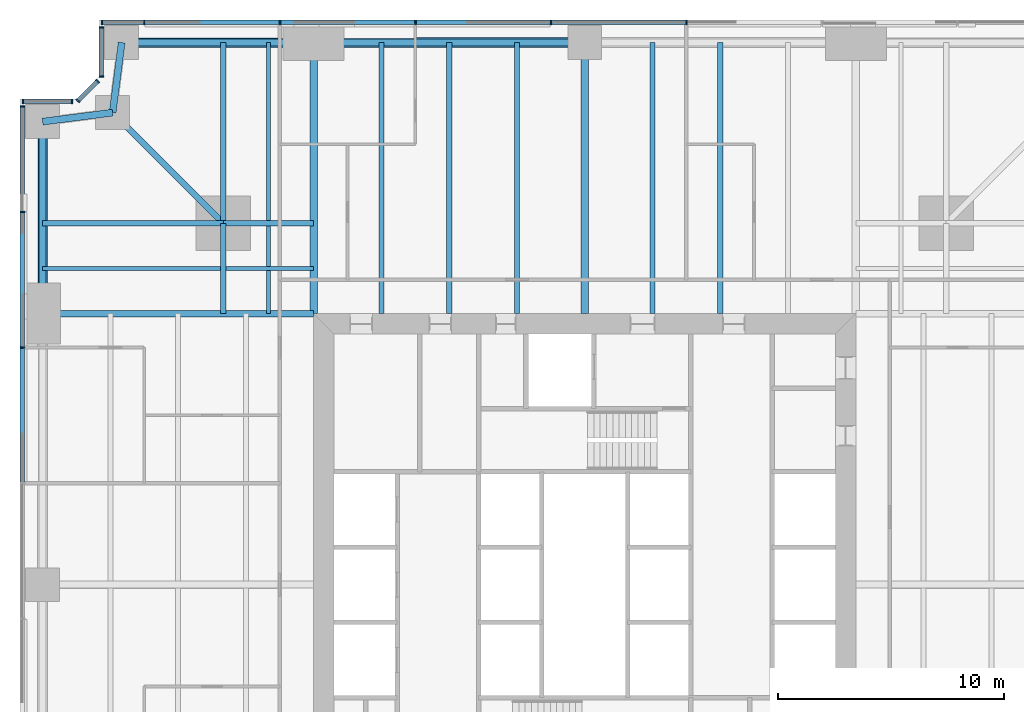
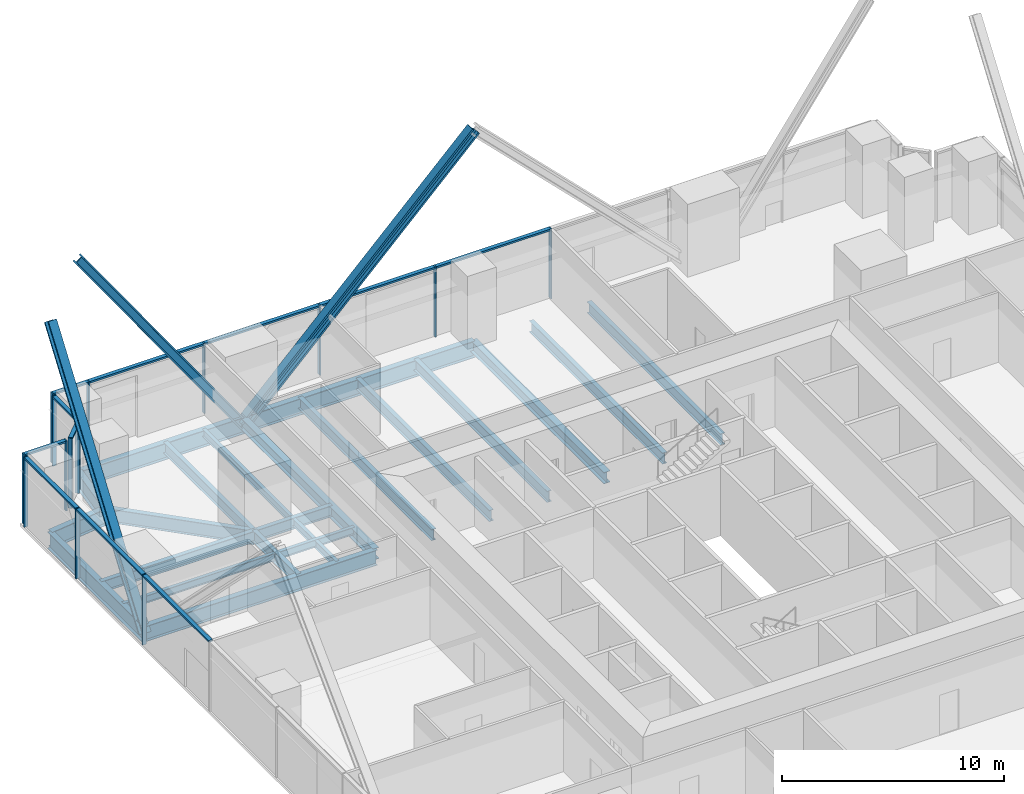
# One storey, part 6 of 13: 29 members, 23 beams, 5 elements without a shape of their own.
"""IFC4 building model written with IfcOpenShell, lengths in metres."""

import ifcopenshell
import ifcopenshell.guid

model = None  # the IFC model being written
_history = None  # IfcOwnerHistory: only IFC2X3 demands one
_inside = {}  # id of a spatial element -> (the spatial element, [elements in it])
_under = {}  # id of a project, library or spatial element -> (it, [spatial elements below it])
_declared = {}  # id of a project -> (the project, [libraries it declares])
_typed = {}  # id of a type object -> (the type object, [elements of that type])
_made_of = {}  # id of a material, layer set ... -> (it, [elements and type objects made of it])


def new_model(schema):
    """Start an empty IFC model of exactly this schema.

    Asked for "IFC4X3", IfcOpenShell would pick the latest addendum, in which some entities
    have other attributes; the version numbers below select the first issue.
    IFC2X3 requires an IfcOwnerHistory on every rooted entity: one is made here for all.
    """
    global model, _history
    if schema == "IFC4X3":
        model = ifcopenshell.file(schema_version=(4, 3, 0, 0))
    else:
        model = ifcopenshell.file(schema=schema)
    _inside.clear()
    _under.clear()
    _declared.clear()
    _typed.clear()
    _made_of.clear()
    _history = None
    if model.schema == "IFC2X3":
        org = make("IfcOrganization", Name="unknown")
        user = make(
            "IfcPersonAndOrganization",
            ThePerson=make("IfcPerson", FamilyName="unknown"),
            TheOrganization=org,
        )
        app = make(
            "IfcApplication",
            ApplicationDeveloper=org,
            Version="unknown",
            ApplicationFullName="unknown",
            ApplicationIdentifier="unknown",
        )
        _history = make(
            "IfcOwnerHistory",
            OwningUser=user,
            OwningApplication=app,
            ChangeAction="ADDED",
            CreationDate=0,
        )
    return model


def make(cls, **values):
    """One entity of the class cls with the attributes given. An attribute that is None is left unset."""
    return model.create_entity(
        cls, **{name: value for name, value in values.items() if value is not None}
    )


def rooted(cls, **values):
    """An entity with a GlobalId (a new one), such as an element, a storey or a relation."""
    return make(cls, GlobalId=ifcopenshell.guid.new(), OwnerHistory=_history, **values)


def si_unit(unit_type, name, prefix=None):
    """IfcSIUnit, for example si_unit("LENGTHUNIT", "METRE", prefix="MILLI")."""
    return make("IfcSIUnit", UnitType=unit_type, Prefix=prefix, Name=name)


def assignment(units):
    """IfcUnitAssignment: the units of a project."""
    return None if units is None else make("IfcUnitAssignment", Units=units)


def point(xyz):
    """IfcCartesianPoint."""
    return None if xyz is None else make("IfcCartesianPoint", Coordinates=xyz)


def direction(xyz):
    """IfcDirection."""
    return None if xyz is None else make("IfcDirection", DirectionRatios=xyz)


def frame(location, z_axis=None, x_axis=None):
    """IfcAxis2Placement3D, a coordinate frame: its origin and axes. An axis left out is left unset."""
    return make(
        "IfcAxis2Placement3D",
        Location=point(location),
        Axis=direction(z_axis),
        RefDirection=direction(x_axis),
    )


def frame_2d(location, x_axis=None):
    """IfcAxis2Placement2D, a coordinate frame in the plane: its origin and x axis."""
    return make(
        "IfcAxis2Placement2D", Location=point(location), RefDirection=direction(x_axis)
    )


def origin():
    """The frame at (0, 0, 0) with its axes left unset."""
    return frame((0.0, 0.0, 0.0))


def origin_2d():
    """The frame at (0, 0) in the plane with its x axis left unset."""
    return frame_2d((0.0, 0.0))


def place(relative_to, where):
    """IfcLocalPlacement: puts the frame where relative to a parent placement (None: the world)."""
    return make(
        "IfcLocalPlacement", PlacementRelTo=relative_to, RelativePlacement=where
    )


def context(
    kind, dimensions, precision=None, world=None, true_north=None, identifier=None
):
    """IfcGeometricRepresentationContext, for example the 3D "Model" context."""
    return make(
        "IfcGeometricRepresentationContext",
        ContextIdentifier=identifier,
        ContextType=kind,
        CoordinateSpaceDimension=dimensions,
        Precision=precision,
        WorldCoordinateSystem=world,
        TrueNorth=true_north,
    )


def subcontext(parent, identifier, kind, view, scale=None):
    """IfcGeometricRepresentationSubContext, for example "Body" below "Model"."""
    return make(
        "IfcGeometricRepresentationSubContext",
        ContextIdentifier=identifier,
        ContextType=kind,
        ParentContext=parent,
        TargetScale=scale,
        TargetView=view,
    )


def project(units=None, contexts=None):
    """IfcProject with its units and contexts."""
    return rooted(
        "IfcProject",
        Name="project",
        RepresentationContexts=contexts,
        UnitsInContext=assignment(units),
    )


def spatial(cls, under=None, at=None, **own):
    """A site, building, storey or space (cls), placed at a placement, below another one or the project."""
    s = rooted(cls, ObjectPlacement=at, **own)
    if under is not None:
        _under.setdefault(under.id(), (under, []))[1].append(s)
    return s


def profile(cls, at=None, kind="AREA", **sizes):
    """A parametric profile (cls). Its sizes go by their IFC names, for example OverallWidth=200.0."""
    return make(cls, ProfileType=kind, Position=at, **sizes)


def rectangle(**sizes):
    """IfcRectangleProfileDef."""
    return profile("IfcRectangleProfileDef", **sizes)


def i_section(**sizes):
    """IfcIShapeProfileDef."""
    return profile("IfcIShapeProfileDef", **sizes)


def extrude(swept, where, along, depth):
    """IfcExtrudedAreaSolid: the profile swept, set in the frame where, extruded along a direction by depth."""
    return make(
        "IfcExtrudedAreaSolid",
        SweptArea=swept,
        Position=where,
        ExtrudedDirection=direction(along),
        Depth=depth,
    )


def shape(context_of_items, identifier, shape_type, items):
    """IfcShapeRepresentation: the items that make up one representation, for example the "Body"."""
    return make(
        "IfcShapeRepresentation",
        ContextOfItems=context_of_items,
        RepresentationIdentifier=identifier,
        RepresentationType=shape_type,
        Items=items,
    )


def material(Name=None, Category=None):
    """IfcMaterial."""
    return make("IfcMaterial", Name=Name, Category=Category)


def material_profile(
    of_material, cross_section, Name=None, Category=None, Priority=None
):
    """IfcMaterialProfile: a cross section and its material."""
    return make(
        "IfcMaterialProfile",
        Name=Name,
        Material=of_material,
        Profile=cross_section,
        Priority=Priority,
        Category=Category,
    )


def profile_set(profiles, Name=None, composite=None):
    """IfcMaterialProfileSet."""
    return make(
        "IfcMaterialProfileSet",
        Name=Name,
        MaterialProfiles=profiles,
        CompositeProfile=composite,
    )


def made_of(thing, what):
    """Note that an element or type object is made of a material, layer set ...; save() writes the relation."""
    if what is not None:
        _made_of.setdefault(what.id(), (what, []))[1].append(thing)
    return thing


def type_object(cls, material=None, **own):
    """A type object (cls), such as IfcWallType, which elements share."""
    return made_of(rooted(cls, **own), material)


def element(
    cls,
    number,
    at=None,
    inside=None,
    cuts=None,
    type_object=None,
    material=None,
    context=None,
    identifier="Body",
    shape_type=None,
    held_by="IfcProductDefinitionShape",
    body=None,
    shapes=None,
    **own,
):
    """One element of the class cls, such as IfcWall. Its Tag is "e" and its number.

    at: its placement. inside: the storey or other place that contains it. cuts: it is an
    opening in that element (IfcRelVoidsElement). A single representation is given by context,
    identifier, shape_type and body (its items); several are given by shapes. held_by: the class
    of the entity that holds the representations. save() writes the other relations.
    """
    e = rooted(cls, Tag="e%d" % number, ObjectPlacement=at, **own)
    if body is not None:
        shapes = [shape(context, identifier, shape_type, body)]
    if shapes is not None:
        e.Representation = make(held_by, Representations=shapes)
    if inside is not None:
        _inside.setdefault(inside.id(), (inside, []))[1].append(e)
    if cuts is not None:
        rooted(
            "IfcRelVoidsElement", RelatingBuildingElement=cuts, RelatedOpeningElement=e
        )
    if type_object is not None:
        _typed.setdefault(type_object.id(), (type_object, []))[1].append(e)
    return made_of(e, material)


def aggregate(whole, parts):
    """IfcRelAggregates: a whole, such as a stair, and the parts it consists of."""
    return rooted("IfcRelAggregates", RelatingObject=whole, RelatedObjects=parts)


def save(model, path):
    """Write the relations noted so far, then the file.

    IfcRelAggregates (storeys below a building ...), IfcRelContainedInSpatialStructure (elements
    in a storey), IfcRelDefinesByType, IfcRelAssociatesMaterial and IfcRelDeclares: one each for
    every whole, place, type object, material and project.
    """
    for whole, parts in _under.values():
        aggregate(whole, parts)
    for where, things in _inside.values():
        rooted(
            "IfcRelContainedInSpatialStructure",
            RelatedElements=things,
            RelatingStructure=where,
        )
    for kind, things in _typed.values():
        rooted("IfcRelDefinesByType", RelatedObjects=things, RelatingType=kind)
    for what, things in _made_of.values():
        rooted("IfcRelAssociatesMaterial", RelatedObjects=things, RelatingMaterial=what)
    for by, libraries in _declared.values():
        rooted("IfcRelDeclares", RelatingContext=by, RelatedDefinitions=libraries)
    model.write(path)


model = new_model("IFC4")

# Units and contexts
model_context = context("Model", 3, precision=1e-05, world=origin(), true_north=direction((0.0, 1.0)))
body_context = subcontext(model_context, "Body", "Model", "MODEL_VIEW")
ifc_project = project(units=[si_unit("LENGTHUNIT", "METRE"), si_unit("AREAUNIT", "SQUARE_METRE"), si_unit("VOLUMEUNIT", "CUBIC_METRE"), si_unit("PLANEANGLEUNIT", "RADIAN"), si_unit("MASSUNIT", "GRAM", prefix="KILO")], contexts=[model_context])

# Site, building, storey
site_placement = place(None, origin())
site = spatial("IfcSite", under=ifc_project, at=site_placement, CompositionType="ELEMENT")
building_placement = place(site_placement, origin())
building = spatial("IfcBuilding", under=site, at=building_placement, Name="Fenwick Lantern Interchange", CompositionType="ELEMENT")
storey_placement = place(building_placement, frame((0.0, 0.0, 55.0)))
storey = spatial("IfcBuildingStorey", under=building, at=storey_placement, Name="L12", CompositionType="ELEMENT", Elevation=55.0)

# Beams
ifc_material_1 = material(Name="Steel ASTM A992 Grade 50", Category="steel")
ifc_material_profile_1 = material_profile(ifc_material_1, i_section(OverallWidth=0.3046875, OverallDepth=0.911865234375, WebThickness=0.015869140625, FlangeThickness=0.02392578125, at=origin_2d()), Name="W36X150")
ifc_profile_set_1 = profile_set([ifc_material_profile_1], Name="Steel ASTM A992 Grade 50")
beam_type_1 = type_object("IfcBeamType", Name="EDGE BEAM W36X150", PredefinedType="SPANDREL", material=ifc_profile_set_1)
beam_1_placement = place(storey_placement, frame((25.0, 49.0, -0.60595703125), z_axis=(-1.0, 0.0, 0.0), x_axis=(0.0, -1.0, 0.0)))
element("IfcBeam", 1, at=beam_1_placement, inside=storey, type_object=beam_type_1, Name="L12/FR/N/EB3", PredefinedType="SPANDREL", context=body_context, shape_type="SweptSolid", body=[
    extrude(i_section(OverallWidth=0.3046875, OverallDepth=0.911865234375, WebThickness=0.015869140625, FlangeThickness=0.02392578125, at=origin_2d()), origin(), (0.0, 0.0, 1.0), 12.0),
])
beam_2_placement = place(storey_placement, frame((13.0, 49.0, -0.60595703125), z_axis=(-1.0, 0.0, 0.0), x_axis=(0.0, -1.0, 0.0)))
element("IfcBeam", 2, at=beam_2_placement, inside=storey, type_object=beam_type_1, Name="L12/FR/N/EB4", PredefinedType="SPANDREL", context=body_context, shape_type="SweptSolid", body=[
    extrude(i_section(OverallWidth=0.3046875, OverallDepth=0.911865234375, WebThickness=0.015869140625, FlangeThickness=0.02392578125, at=origin_2d()), origin(), (0.0, 0.0, 1.0), 8.5),
])
for number, where, z_axis, x_axis, name in (
    (3, (4.5, 49.0, -0.60595703125), (-0.127936641807, -0.991782342897, 0.0), (0.991782342897, -0.127936641807, 0.0), "L12/FR/N/EBR1"),
    (4, (4.10009765625, 45.89990234375, -0.60595703125), (-0.991782342897, -0.127936641807, 0.0), (0.127936641807, -0.991782342897, 0.0), "L12/FR/N/EBR2"),
):
    element("IfcBeam", number, at=place(storey_placement, frame(where, z_axis=z_axis, x_axis=x_axis)), inside=storey, type_object=beam_type_1, Name=name, PredefinedType="SPANDREL", context=body_context, shape_type="SweptSolid", body=[
        extrude(i_section(OverallWidth=0.3046875, OverallDepth=0.911865234375, WebThickness=0.015869140625, FlangeThickness=0.02392578125, at=origin_2d()), origin(), (0.0, 0.0, 1.0), 3.125732421875),
    ])
beam_3_placement = place(storey_placement, frame((1.0, 45.5, -0.60595703125), z_axis=(0.0, -1.0, 0.0), x_axis=(1.0, 0.0, 0.0)))
element("IfcBeam", 5, at=beam_3_placement, inside=storey, type_object=beam_type_1, Name="L12/FR/W/EB1", PredefinedType="SPANDREL", context=body_context, shape_type="SweptSolid", body=[
    extrude(i_section(OverallWidth=0.3046875, OverallDepth=0.911865234375, WebThickness=0.015869140625, FlangeThickness=0.02392578125, at=origin_2d()), origin(), (0.0, 0.0, 1.0), 8.5),
])

# Members
ifc_material_profile_2 = material_profile(ifc_material_1, i_section(OverallWidth=0.424072265625, OverallDepth=0.47509765625, WebThickness=0.0478515625, FlangeThickness=0.0771484375, at=origin_2d()), Name="W14X426")
ifc_profile_set_2 = profile_set([ifc_material_profile_2], Name="Steel ASTM A992 Grade 50")
member_type_1 = type_object("IfcMemberType", Name="FACADE BRACE W14X426", PredefinedType="BRACE", material=ifc_profile_set_2)
for number, where, z_axis, x_axis, name in (
    (6, (13.0, 49.0, -0.60595703125), (-0.57801734078, 0.0, 0.816024481102), (0.0, -1.0, 0.0), "L12/FB/N/BE"),
    (7, (1.0, 37.0, -0.60595703125), (0.0, 0.57801734078, 0.816024481102), (-1.0, 0.0, 0.0), "L12/FB/W/AE"),
):
    element("IfcMember", number, at=place(storey_placement, frame(where, z_axis=z_axis, x_axis=x_axis)), inside=storey, type_object=member_type_1, Name=name, PredefinedType="BRACE", context=body_context, shape_type="SweptSolid", body=[
        extrude(i_section(OverallWidth=0.424072265625, OverallDepth=0.47509765625, WebThickness=0.0478515625, FlangeThickness=0.0771484375, at=origin_2d()), origin(), (0.0, 0.0, 1.0), 14.705322265625),
    ])
ifc_material_profile_3 = material_profile(ifc_material_1, i_section(OverallWidth=0.44189453125, OverallDepth=0.53076171875, WebThickness=0.06591796875, FlangeThickness=0.105712890625, at=origin_2d()), Name="W14X605")
ifc_profile_set_3 = profile_set([ifc_material_profile_3], Name="Steel ASTM A992 Grade 50")
member_type_2 = type_object("IfcMemberType", Name="FACADE BRACE W14X605", PredefinedType="BRACE", material=ifc_profile_set_3)
member_1_placement = place(storey_placement, frame((13.0, 49.0, -0.60595703125), z_axis=(0.707106781187, 0.0, 0.707106781187), x_axis=(0.0, 1.0, 0.0)))
element("IfcMember", 8, at=member_1_placement, inside=storey, type_object=member_type_2, Name="L12/FB/N/B", PredefinedType="BRACE", context=body_context, shape_type="SweptSolid", body=[
    extrude(i_section(OverallWidth=0.44189453125, OverallDepth=0.53076171875, WebThickness=0.06591796875, FlangeThickness=0.105712890625, at=origin_2d()), origin(), (0.0, 0.0, 1.0), 16.970458984375),
])

# Beams
ifc_material_profile_4 = material_profile(ifc_material_1, i_section(OverallWidth=0.22900390625, OverallDepth=0.612060546875, WebThickness=0.011962890625, FlangeThickness=0.01953125, at=origin_2d()), Name="W24X84")
ifc_profile_set_4 = profile_set([ifc_material_profile_4], Name="Steel ASTM A992 Grade 50")
beam_type_2 = type_object("IfcBeamType", Name="FLOOR BEAM W24X84", PredefinedType="BEAM", material=ifc_profile_set_4)
for number, where, z_axis, x_axis, name in (
    (9, (31.0, 49.0, -0.4560546875), (0.0, -1.0, 0.0), (1.0, 0.0, 0.0), "L12/FR/N/R03"),
    (10, (28.0, 49.0, -0.4560546875), (0.0, -1.0, 0.0), (1.0, 0.0, 0.0), "L12/FR/N/R04"),
    (11, (22.0, 49.0, -0.4560546875), (0.0, -1.0, 0.0), (1.0, 0.0, 0.0), "L12/FR/N/R06"),
    (12, (19.0, 49.0, -0.4560546875), (0.0, -1.0, 0.0), (1.0, 0.0, 0.0), "L12/FR/N/R07"),
    (13, (16.0, 49.0, -0.4560546875), (0.0, -1.0, 0.0), (1.0, 0.0, 0.0), "L12/FR/N/R08"),
):
    element("IfcBeam", number, at=place(storey_placement, frame(where, z_axis=z_axis, x_axis=x_axis)), inside=storey, type_object=beam_type_2, Name=name, PredefinedType="BEAM", context=body_context, shape_type="SweptSolid", body=[
        extrude(i_section(OverallWidth=0.22900390625, OverallDepth=0.612060546875, WebThickness=0.011962890625, FlangeThickness=0.01953125, at=origin_2d()), origin(), (0.0, 0.0, 1.0), 12.0),
    ])
ifc_material_profile_5 = material_profile(ifc_material_1, i_section(OverallWidth=0.177734375, OverallDepth=0.406494140625, WebThickness=0.0078125, FlangeThickness=0.012939453125, at=origin_2d()), Name="W16X40")
ifc_profile_set_5 = profile_set([ifc_material_profile_5], Name="Steel ASTM A992 Grade 50")
beam_type_3 = type_object("IfcBeamType", Name="INFILL BEAM W16X40", PredefinedType="JOIST", material=ifc_profile_set_5)
beam_4_placement = place(storey_placement, frame((1.0, 39.0, -0.353271484375), z_axis=(1.0, 0.0, 0.0), x_axis=(0.0, 1.0, 0.0)))
element("IfcBeam", 14, at=beam_4_placement, inside=storey, type_object=beam_type_3, Name="L12/FR/W/J1", PredefinedType="JOIST", context=body_context, shape_type="SweptSolid", body=[
    extrude(i_section(OverallWidth=0.177734375, OverallDepth=0.406494140625, WebThickness=0.0078125, FlangeThickness=0.012939453125, at=origin_2d()), origin(), (0.0, 0.0, 1.0), 7.885498046875),
])
beam_5_placement = place(storey_placement, frame((9.114501953125, 39.0, -0.353271484375), z_axis=(1.0, 0.0, 0.0), x_axis=(0.0, 1.0, 0.0)))
element("IfcBeam", 15, at=beam_5_placement, inside=storey, type_object=beam_type_3, Name="L12/FR/W/J2", PredefinedType="JOIST", context=body_context, shape_type="SweptSolid", body=[
    extrude(i_section(OverallWidth=0.177734375, OverallDepth=0.406494140625, WebThickness=0.0078125, FlangeThickness=0.012939453125, at=origin_2d()), origin(), (0.0, 0.0, 1.0), 3.885498046875),
])
beam_6_placement = place(storey_placement, frame((11.0, 49.0, -0.353271484375), z_axis=(0.0, -1.0, 0.0), x_axis=(1.0, 0.0, 0.0)))
element("IfcBeam", 16, at=beam_6_placement, inside=storey, type_object=beam_type_3, Name="L12/FR/W/J3", PredefinedType="JOIST", context=body_context, shape_type="SweptSolid", body=[
    extrude(i_section(OverallWidth=0.177734375, OverallDepth=0.406494140625, WebThickness=0.0078125, FlangeThickness=0.012939453125, at=origin_2d()), origin(), (0.0, 0.0, 1.0), 7.885498046875),
])
beam_7_placement = place(storey_placement, frame((11.0, 40.885498046875, -0.353271484375), z_axis=(0.0, -1.0, 0.0), x_axis=(1.0, 0.0, 0.0)))
element("IfcBeam", 17, at=beam_7_placement, inside=storey, type_object=beam_type_3, Name="L12/FR/W/J4", PredefinedType="JOIST", context=body_context, shape_type="SweptSolid", body=[
    extrude(i_section(OverallWidth=0.177734375, OverallDepth=0.406494140625, WebThickness=0.0078125, FlangeThickness=0.012939453125, at=origin_2d()), origin(), (0.0, 0.0, 1.0), 1.796630859375),
])
beam_8_placement = place(storey_placement, frame((11.0, 38.9111328125, -0.353271484375), z_axis=(0.0, -1.0, 0.0), x_axis=(1.0, 0.0, 0.0)))
element("IfcBeam", 18, at=beam_8_placement, inside=storey, type_object=beam_type_3, Name="L12/FR/W/J5", PredefinedType="JOIST", context=body_context, shape_type="SweptSolid", body=[
    extrude(i_section(OverallWidth=0.177734375, OverallDepth=0.406494140625, WebThickness=0.0078125, FlangeThickness=0.012939453125, at=origin_2d()), origin(), (0.0, 0.0, 1.0), 1.9111328125),
])
ifc_material_profile_6 = material_profile(ifc_material_1, i_section(OverallWidth=0.22900390625, OverallDepth=0.612060546875, WebThickness=0.011962890625, FlangeThickness=0.01953125, at=origin_2d()), Name="W24X84")
ifc_profile_set_6 = profile_set([ifc_material_profile_6], Name="Steel ASTM A992 Grade 50")
beam_type_4 = type_object("IfcBeamType", Name="MEGA COLUMN BEAM W24X84", PredefinedType="BEAM", material=ifc_profile_set_6)
for number, where, z_axis, x_axis, name in (
    (19, (9.0, 41.0, -0.4560546875), (-1.0, 0.0, 0.0), (0.0, -1.0, 0.0), "L12/FR/W/MB1"),
    (20, (9.0, 41.0, -0.4560546875), (0.0, 1.0, 0.0), (-1.0, 0.0, 0.0), "L12/FR/W/MB2"),
):
    element("IfcBeam", number, at=place(storey_placement, frame(where, z_axis=z_axis, x_axis=x_axis)), inside=storey, type_object=beam_type_4, Name=name, PredefinedType="BEAM", context=body_context, shape_type="SweptSolid", body=[
        extrude(i_section(OverallWidth=0.22900390625, OverallDepth=0.612060546875, WebThickness=0.011962890625, FlangeThickness=0.01953125, at=origin_2d()), origin(), (0.0, 0.0, 1.0), 8.0),
    ])
for number, where, z_axis, x_axis, name in (
    (21, (9.0, 41.0, -0.4560546875), (0.0, -1.0, 0.0), (1.0, 0.0, 0.0), "L12/FR/W/MB3"),
    (22, (9.0, 41.0, -0.4560546875), (1.0, 0.0, 0.0), (0.0, 1.0, 0.0), "L12/FR/W/MB4"),
):
    element("IfcBeam", number, at=place(storey_placement, frame(where, z_axis=z_axis, x_axis=x_axis)), inside=storey, type_object=beam_type_4, Name=name, PredefinedType="BEAM", context=body_context, shape_type="SweptSolid", body=[
        extrude(i_section(OverallWidth=0.22900390625, OverallDepth=0.612060546875, WebThickness=0.011962890625, FlangeThickness=0.01953125, at=origin_2d()), origin(), (0.0, 0.0, 1.0), 4.0),
    ])
ifc_material_profile_7 = material_profile(ifc_material_1, i_section(OverallWidth=0.32763671875, OverallDepth=0.622314453125, WebThickness=0.015380859375, FlangeThickness=0.0244140625, at=origin_2d()), Name="W24X131")
ifc_profile_set_7 = profile_set([ifc_material_profile_7], Name="Steel ASTM A992 Grade 50")
beam_type_5 = type_object("IfcBeamType", Name="MOMENT-CONNECTED GIRDER W24X131", PredefinedType="BEAM", material=ifc_profile_set_7)
for number, where, z_axis, x_axis, name in (
    (23, (25.0, 49.0, -0.461181640625), (0.0, -1.0, 0.0), (1.0, 0.0, 0.0), "L12/FR/N/R05"),
    (24, (13.0, 49.0, -0.461181640625), (0.0, -1.0, 0.0), (1.0, 0.0, 0.0), "L12/FR/N/R09"),
):
    element("IfcBeam", number, at=place(storey_placement, frame(where, z_axis=z_axis, x_axis=x_axis)), inside=storey, type_object=beam_type_5, Name=name, PredefinedType="BEAM", context=body_context, shape_type="SweptSolid", body=[
        extrude(i_section(OverallWidth=0.32763671875, OverallDepth=0.622314453125, WebThickness=0.015380859375, FlangeThickness=0.0244140625, at=origin_2d()), origin(), (0.0, 0.0, 1.0), 12.0),
    ])
ifc_material_profile_8 = material_profile(ifc_material_1, i_section(OverallWidth=0.2919921875, OverallDepth=0.845703125, WebThickness=0.015380859375, FlangeThickness=0.0244140625, at=origin_2d()), Name="W33X141")
ifc_profile_set_8 = profile_set([ifc_material_profile_8], Name="Steel ASTM A992 Grade 50")
beam_type_6 = type_object("IfcBeamType", Name="MOMENT-CONNECTED GIRDER W33X141", PredefinedType="BEAM", material=ifc_profile_set_8)
beam_9_placement = place(storey_placement, frame((1.0, 37.0, -0.572998046875), z_axis=(1.0, 0.0, 0.0), x_axis=(0.0, 1.0, 0.0)))
element("IfcBeam", 25, at=beam_9_placement, inside=storey, type_object=beam_type_6, Name="L12/FR/W/R01", PredefinedType="BEAM", context=body_context, shape_type="SweptSolid", body=[
    extrude(i_section(OverallWidth=0.2919921875, OverallDepth=0.845703125, WebThickness=0.015380859375, FlangeThickness=0.0244140625, at=origin_2d()), origin(), (0.0, 0.0, 1.0), 12.0),
])
ifc_material_profile_9 = material_profile(ifc_material_1, i_section(OverallWidth=0.2666015625, OverallDepth=0.7568359375, WebThickness=0.013916015625, FlangeThickness=0.019287109375, at=origin_2d()), Name="W30X108")
ifc_profile_set_9 = profile_set([ifc_material_profile_9], Name="Steel ASTM A992 Grade 50")
beam_type_7 = type_object("IfcBeamType", Name="NOTCH BEAM W30X108", PredefinedType="BEAM", material=ifc_profile_set_9)
beam_10_placement = place(storey_placement, frame((9.0, 41.0, -0.528564453125), z_axis=(-0.707106781187, 0.707106781187, 0.0), x_axis=(-0.707106781187, -0.707106781187, 0.0)))
element("IfcBeam", 26, at=beam_10_placement, inside=storey, type_object=beam_type_7, Name="L12/FR/W/TG", PredefinedType="BEAM", context=body_context, shape_type="SweptSolid", body=[
    extrude(i_section(OverallWidth=0.2666015625, OverallDepth=0.7568359375, WebThickness=0.013916015625, FlangeThickness=0.019287109375, at=origin_2d()), origin(), (0.0, 0.0, 1.0), 6.929443359375),
])

# Curtain wall, members
ifc_material_2 = material(Name="Aluminium curtain wall frame", Category="aluminium")
curtain_wall_type = type_object("IfcCurtainWallType", Name="OFFICE CURTAIN WALL", PredefinedType="USERDEFINED", material=ifc_material_2)
curtain_wall_1_placement = place(storey_placement, origin())
curtain_wall_1 = element("IfcCurtainWall", 27, at=curtain_wall_1_placement, inside=storey, type_object=curtain_wall_type, Name="Office curtain wall 09", ObjectType="OFFICE CURTAIN WALL", PredefinedType="USERDEFINED")
ifc_material_3 = material(Name="Aluminium extrusion", Category="aluminium")
ifc_material_profile_10 = material_profile(ifc_material_3, rectangle(XDim=0.199951171875, YDim=0.06494140625, at=origin_2d()), Name="OFFICE CURTAIN WALL MULLION 65 X 200")
ifc_profile_set_10 = profile_set([ifc_material_profile_10], Name="Aluminium extrusion")
member_type_3 = type_object("IfcMemberType", Name="OFFICE CURTAIN WALL MULLION 65 X 200", PredefinedType="MULLION", material=ifc_profile_set_10)
member_2_placement = place(storey_placement, frame((29.5, 49.89990234375, 0.0), z_axis=(0.0, 0.0, 1.0), x_axis=(0.0, -1.0, 0.0)))
member_2 = element("IfcMember", 28, at=member_2_placement, type_object=member_type_3, Name="L12/CW/09/M03", PredefinedType="MULLION", context=body_context, shape_type="SweptSolid", body=[
    extrude(rectangle(XDim=0.199951171875, YDim=0.06494140625, at=origin_2d()), origin(), (0.0, 0.0, 1.0), 3.85009765625),
])
member_3_placement = place(storey_placement, frame((23.5, 49.89990234375, 0.0), z_axis=(0.0, 0.0, 1.0), x_axis=(0.0, -1.0, 0.0)))
member_3 = element("IfcMember", 29, at=member_3_placement, type_object=member_type_3, Name="L12/CW/09/M04", PredefinedType="MULLION", context=body_context, shape_type="SweptSolid", body=[
    extrude(rectangle(XDim=0.199951171875, YDim=0.06494140625, at=origin_2d()), origin(), (0.0, 0.0, 1.0), 3.85009765625),
])
member_4_placement = place(storey_placement, frame((17.5, 49.89990234375, 0.0), z_axis=(0.0, 0.0, 1.0), x_axis=(0.0, -1.0, 0.0)))
member_4 = element("IfcMember", 30, at=member_4_placement, type_object=member_type_3, Name="L12/CW/09/M05", PredefinedType="MULLION", context=body_context, shape_type="SweptSolid", body=[
    extrude(rectangle(XDim=0.199951171875, YDim=0.06494140625, at=origin_2d()), origin(), (0.0, 0.0, 1.0), 3.85009765625),
])
member_5_placement = place(storey_placement, frame((11.5, 49.89990234375, 0.0), z_axis=(0.0, 0.0, 1.0), x_axis=(0.0, -1.0, 0.0)))
member_5 = element("IfcMember", 31, at=member_5_placement, type_object=member_type_3, Name="L12/CW/09/M06", PredefinedType="MULLION", context=body_context, shape_type="SweptSolid", body=[
    extrude(rectangle(XDim=0.199951171875, YDim=0.06494140625, at=origin_2d()), origin(), (0.0, 0.0, 1.0), 3.85009765625),
])
member_6_placement = place(storey_placement, frame((5.5, 49.89990234375, 0.0), z_axis=(0.0, 0.0, 1.0), x_axis=(0.0, -1.0, 0.0)))
member_6 = element("IfcMember", 32, at=member_6_placement, type_object=member_type_3, Name="L12/CW/09/M07", PredefinedType="MULLION", context=body_context, shape_type="SweptSolid", body=[
    extrude(rectangle(XDim=0.199951171875, YDim=0.06494140625, at=origin_2d()), origin(), (0.0, 0.0, 1.0), 3.85009765625),
])
member_7_placement = place(storey_placement, frame((3.632568359375, 49.89990234375, 0.0), z_axis=(0.0, 0.0, 1.0), x_axis=(0.0, -1.0, 0.0)))
member_7 = element("IfcMember", 33, at=member_7_placement, type_object=member_type_3, Name="L12/CW/09/M08", PredefinedType="MULLION", context=body_context, shape_type="SweptSolid", body=[
    extrude(rectangle(XDim=0.199951171875, YDim=0.06494140625, at=origin_2d()), origin(), (0.0, 0.0, 1.0), 3.85009765625),
])

curtain_wall_2_placement = place(storey_placement, origin())
curtain_wall_2 = element("IfcCurtainWall", 34, at=curtain_wall_2_placement, inside=storey, type_object=curtain_wall_type, Name="Office curtain wall 10", ObjectType="OFFICE CURTAIN WALL", PredefinedType="USERDEFINED")
member_8_placement = place(storey_placement, frame((3.60009765625, 49.66748046875, 0.0), z_axis=(0.0, 0.0, 1.0), x_axis=(1.0, 0.0, 0.0)))
member_8 = element("IfcMember", 35, at=member_8_placement, type_object=member_type_3, Name="L12/CW/10/M00", PredefinedType="MULLION", context=body_context, shape_type="SweptSolid", body=[
    extrude(rectangle(XDim=0.199951171875, YDim=0.06494140625, at=origin_2d()), origin(), (0.0, 0.0, 1.0), 3.85009765625),
])
member_9_placement = place(storey_placement, frame((3.60009765625, 47.490966796875, 0.0), z_axis=(0.0, 0.0, 1.0), x_axis=(1.0, 0.0, 0.0)))
member_9 = element("IfcMember", 36, at=member_9_placement, type_object=member_type_3, Name="L12/CW/10/M01", PredefinedType="MULLION", context=body_context, shape_type="SweptSolid", body=[
    extrude(rectangle(XDim=0.199951171875, YDim=0.06494140625, at=origin_2d()), origin(), (0.0, 0.0, 1.0), 3.85009765625),
])

curtain_wall_3_placement = place(storey_placement, origin())
curtain_wall_3 = element("IfcCurtainWall", 37, at=curtain_wall_3_placement, inside=storey, type_object=curtain_wall_type, Name="Office curtain wall 11", ObjectType="OFFICE CURTAIN WALL", PredefinedType="USERDEFINED")
member_10_placement = place(storey_placement, frame((3.435546875, 47.294189453125, 0.0), z_axis=(0.0, 0.0, 1.0), x_axis=(0.707106781187, -0.707106781187, 0.0)))
member_10 = element("IfcMember", 38, at=member_10_placement, type_object=member_type_3, Name="L12/CW/11/M00", PredefinedType="MULLION", context=body_context, shape_type="SweptSolid", body=[
    extrude(rectangle(XDim=0.199951171875, YDim=0.06494140625, at=origin_2d()), origin(), (0.0, 0.0, 1.0), 3.85009765625),
])
member_11_placement = place(storey_placement, frame((2.564453125, 46.423095703125, 0.0), z_axis=(0.0, 0.0, 1.0), x_axis=(0.707106781187, -0.707106781187, 0.0)))
member_11 = element("IfcMember", 39, at=member_11_placement, type_object=member_type_3, Name="L12/CW/11/M01", PredefinedType="MULLION", context=body_context, shape_type="SweptSolid", body=[
    extrude(rectangle(XDim=0.199951171875, YDim=0.06494140625, at=origin_2d()), origin(), (0.0, 0.0, 1.0), 3.85009765625),
])

curtain_wall_4_placement = place(storey_placement, origin())
curtain_wall_4 = element("IfcCurtainWall", 40, at=curtain_wall_4_placement, inside=storey, type_object=curtain_wall_type, Name="Office curtain wall 12", ObjectType="OFFICE CURTAIN WALL", PredefinedType="USERDEFINED")
member_12_placement = place(storey_placement, frame((2.308837890625, 46.39990234375, 0.0), z_axis=(0.0, 0.0, 1.0), x_axis=(0.0, -1.0, 0.0)))
member_12 = element("IfcMember", 41, at=member_12_placement, type_object=member_type_3, Name="L12/CW/12/M00", PredefinedType="MULLION", context=body_context, shape_type="SweptSolid", body=[
    extrude(rectangle(XDim=0.199951171875, YDim=0.06494140625, at=origin_2d()), origin(), (0.0, 0.0, 1.0), 3.85009765625),
])
member_13_placement = place(storey_placement, frame((0.132568359375, 46.39990234375, 0.0), z_axis=(0.0, 0.0, 1.0), x_axis=(0.0, -1.0, 0.0)))
member_13 = element("IfcMember", 42, at=member_13_placement, type_object=member_type_3, Name="L12/CW/12/M01", PredefinedType="MULLION", context=body_context, shape_type="SweptSolid", body=[
    extrude(rectangle(XDim=0.199951171875, YDim=0.06494140625, at=origin_2d()), origin(), (0.0, 0.0, 1.0), 3.85009765625),
])

curtain_wall_5_placement = place(storey_placement, origin())
curtain_wall_5 = element("IfcCurtainWall", 43, at=curtain_wall_5_placement, inside=storey, type_object=curtain_wall_type, Name="Office curtain wall 13", ObjectType="OFFICE CURTAIN WALL", PredefinedType="USERDEFINED")
member_14_placement = place(storey_placement, frame((0.10009765625, 46.16748046875, 0.0), z_axis=(0.0, 0.0, 1.0), x_axis=(1.0, 0.0, 0.0)))
member_14 = element("IfcMember", 44, at=member_14_placement, type_object=member_type_3, Name="L12/CW/13/M00", PredefinedType="MULLION", context=body_context, shape_type="SweptSolid", body=[
    extrude(rectangle(XDim=0.199951171875, YDim=0.06494140625, at=origin_2d()), origin(), (0.0, 0.0, 1.0), 3.85009765625),
])
member_15_placement = place(storey_placement, frame((0.10009765625, 41.5, 0.0), z_axis=(0.0, 0.0, 1.0), x_axis=(1.0, 0.0, 0.0)))
member_15 = element("IfcMember", 45, at=member_15_placement, type_object=member_type_3, Name="L12/CW/13/M01", PredefinedType="MULLION", context=body_context, shape_type="SweptSolid", body=[
    extrude(rectangle(XDim=0.199951171875, YDim=0.06494140625, at=origin_2d()), origin(), (0.0, 0.0, 1.0), 3.85009765625),
])
member_16_placement = place(storey_placement, frame((0.10009765625, 35.5, 0.0), z_axis=(0.0, 0.0, 1.0), x_axis=(1.0, 0.0, 0.0)))
member_16 = element("IfcMember", 46, at=member_16_placement, type_object=member_type_3, Name="L12/CW/13/M02", PredefinedType="MULLION", context=body_context, shape_type="SweptSolid", body=[
    extrude(rectangle(XDim=0.199951171875, YDim=0.06494140625, at=origin_2d()), origin(), (0.0, 0.0, 1.0), 3.85009765625),
])

# Member
ifc_material_profile_11 = material_profile(ifc_material_3, rectangle(XDim=0.199951171875, YDim=0.10009765625, at=origin_2d()), Name="OFFICE CURTAIN WALL TRANSOM 100 X 200")
ifc_profile_set_11 = profile_set([ifc_material_profile_11], Name="Aluminium extrusion")
member_type_4 = type_object("IfcMemberType", Name="OFFICE CURTAIN WALL TRANSOM 100 X 200", PredefinedType="MULLION", material=ifc_profile_set_11)
member_17_placement = place(storey_placement, frame((29.467529296875, 49.89990234375, 3.800048828125), z_axis=(-1.0, 0.0, 0.0), x_axis=(0.0, -1.0, 0.0)))
member_17 = element("IfcMember", 47, at=member_17_placement, type_object=member_type_4, Name="L12/CW/09/T03", PredefinedType="MULLION", context=body_context, shape_type="SweptSolid", body=[
    extrude(rectangle(XDim=0.199951171875, YDim=0.10009765625, at=origin_2d()), origin(), (0.0, 0.0, 1.0), 5.93505859375),
])

member_18_placement = place(storey_placement, frame((23.467529296875, 49.89990234375, 3.800048828125), z_axis=(-1.0, 0.0, 0.0), x_axis=(0.0, -1.0, 0.0)))
member_18 = element("IfcMember", 48, at=member_18_placement, type_object=member_type_4, Name="L12/CW/09/T04", PredefinedType="MULLION", context=body_context, shape_type="SweptSolid", body=[
    extrude(rectangle(XDim=0.199951171875, YDim=0.10009765625, at=origin_2d()), origin(), (0.0, 0.0, 1.0), 5.93505859375),
])

member_19_placement = place(storey_placement, frame((17.467529296875, 49.89990234375, 3.800048828125), z_axis=(-1.0, 0.0, 0.0), x_axis=(0.0, -1.0, 0.0)))
member_19 = element("IfcMember", 49, at=member_19_placement, type_object=member_type_4, Name="L12/CW/09/T05", PredefinedType="MULLION", context=body_context, shape_type="SweptSolid", body=[
    extrude(rectangle(XDim=0.199951171875, YDim=0.10009765625, at=origin_2d()), origin(), (0.0, 0.0, 1.0), 5.93505859375),
])

member_20_placement = place(storey_placement, frame((11.467529296875, 49.89990234375, 3.800048828125), z_axis=(-1.0, 0.0, 0.0), x_axis=(0.0, -1.0, 0.0)))
member_20 = element("IfcMember", 50, at=member_20_placement, type_object=member_type_4, Name="L12/CW/09/T06", PredefinedType="MULLION", context=body_context, shape_type="SweptSolid", body=[
    extrude(rectangle(XDim=0.199951171875, YDim=0.10009765625, at=origin_2d()), origin(), (0.0, 0.0, 1.0), 5.93505859375),
])

member_21_placement = place(storey_placement, frame((5.467529296875, 49.89990234375, 3.800048828125), z_axis=(-1.0, 0.0, 0.0), x_axis=(0.0, -1.0, 0.0)))
member_21 = element("IfcMember", 51, at=member_21_placement, type_object=member_type_4, Name="L12/CW/09/T07", PredefinedType="MULLION", context=body_context, shape_type="SweptSolid", body=[
    extrude(rectangle(XDim=0.199951171875, YDim=0.10009765625, at=origin_2d()), origin(), (0.0, 0.0, 1.0), 1.802490234375),
])

aggregate(curtain_wall_1, [member_2, member_3, member_4, member_5, member_6, member_7, member_17, member_18, member_19, member_20, member_21])

member_22_placement = place(storey_placement, frame((3.60009765625, 49.635009765625, 3.800048828125), z_axis=(0.0, -1.0, 0.0), x_axis=(1.0, 0.0, 0.0)))
member_22 = element("IfcMember", 52, at=member_22_placement, type_object=member_type_4, Name="L12/CW/10/T00", PredefinedType="MULLION", context=body_context, shape_type="SweptSolid", body=[
    extrude(rectangle(XDim=0.199951171875, YDim=0.10009765625, at=origin_2d()), origin(), (0.0, 0.0, 1.0), 2.111328125),
])

aggregate(curtain_wall_2, [member_8, member_9, member_22])

member_23_placement = place(storey_placement, frame((3.41259765625, 47.271240234375, 3.800048828125), z_axis=(-0.707106781187, -0.707106781187, 0.0), x_axis=(0.707106781187, -0.707106781187, 0.0)))
member_23 = element("IfcMember", 53, at=member_23_placement, type_object=member_type_4, Name="L12/CW/11/T00", PredefinedType="MULLION", context=body_context, shape_type="SweptSolid", body=[
    extrude(rectangle(XDim=0.199951171875, YDim=0.10009765625, at=origin_2d()), origin(), (0.0, 0.0, 1.0), 1.1669921875),
])

aggregate(curtain_wall_3, [member_10, member_11, member_23])

member_24_placement = place(storey_placement, frame((2.2763671875, 46.39990234375, 3.800048828125), z_axis=(-1.0, 0.0, 0.0), x_axis=(0.0, -1.0, 0.0)))
member_24 = element("IfcMember", 54, at=member_24_placement, type_object=member_type_4, Name="L12/CW/12/T00", PredefinedType="MULLION", context=body_context, shape_type="SweptSolid", body=[
    extrude(rectangle(XDim=0.199951171875, YDim=0.10009765625, at=origin_2d()), origin(), (0.0, 0.0, 1.0), 2.111328125),
])

aggregate(curtain_wall_4, [member_12, member_13, member_24])

member_25_placement = place(storey_placement, frame((0.10009765625, 46.135009765625, 3.800048828125), z_axis=(0.0, -1.0, 0.0), x_axis=(1.0, 0.0, 0.0)))
member_25 = element("IfcMember", 55, at=member_25_placement, type_object=member_type_4, Name="L12/CW/13/T00", PredefinedType="MULLION", context=body_context, shape_type="SweptSolid", body=[
    extrude(rectangle(XDim=0.199951171875, YDim=0.10009765625, at=origin_2d()), origin(), (0.0, 0.0, 1.0), 4.6025390625),
])

member_26_placement = place(storey_placement, frame((0.10009765625, 41.467529296875, 3.800048828125), z_axis=(0.0, -1.0, 0.0), x_axis=(1.0, 0.0, 0.0)))
member_26 = element("IfcMember", 56, at=member_26_placement, type_object=member_type_4, Name="L12/CW/13/T01", PredefinedType="MULLION", context=body_context, shape_type="SweptSolid", body=[
    extrude(rectangle(XDim=0.199951171875, YDim=0.10009765625, at=origin_2d()), origin(), (0.0, 0.0, 1.0), 5.93505859375),
])

member_27_placement = place(storey_placement, frame((0.10009765625, 35.467529296875, 3.800048828125), z_axis=(0.0, -1.0, 0.0), x_axis=(1.0, 0.0, 0.0)))
member_27 = element("IfcMember", 57, at=member_27_placement, type_object=member_type_4, Name="L12/CW/13/T02", PredefinedType="MULLION", context=body_context, shape_type="SweptSolid", body=[
    extrude(rectangle(XDim=0.199951171875, YDim=0.10009765625, at=origin_2d()), origin(), (0.0, 0.0, 1.0), 5.93505859375),
])

aggregate(curtain_wall_5, [member_14, member_15, member_16, member_25, member_26, member_27])

save(model, "model.ifc")
